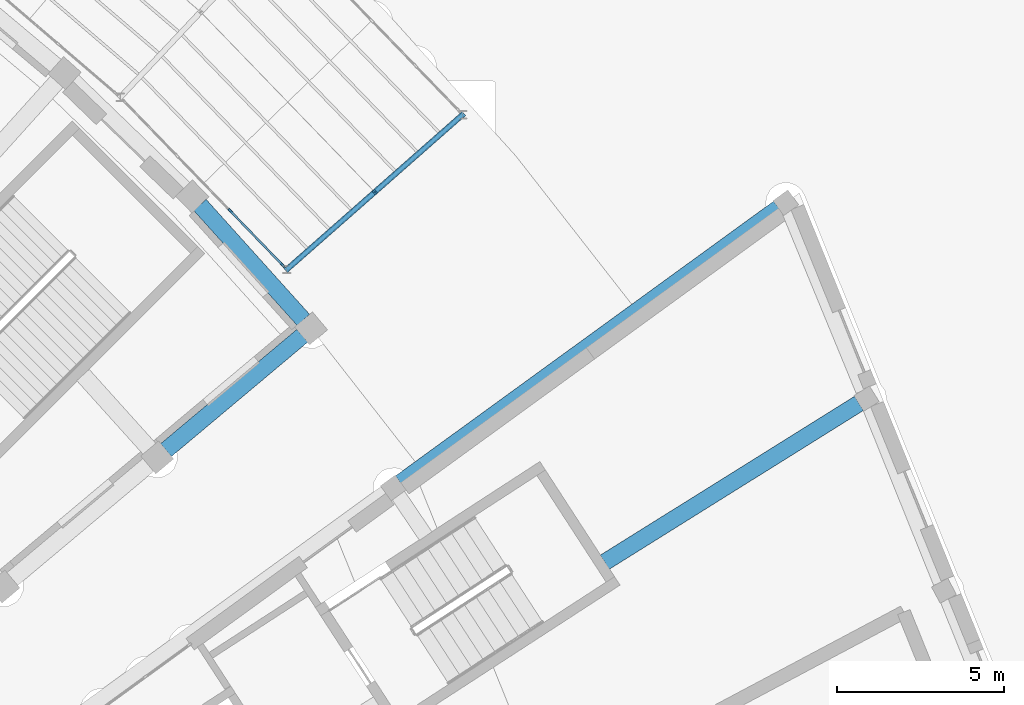
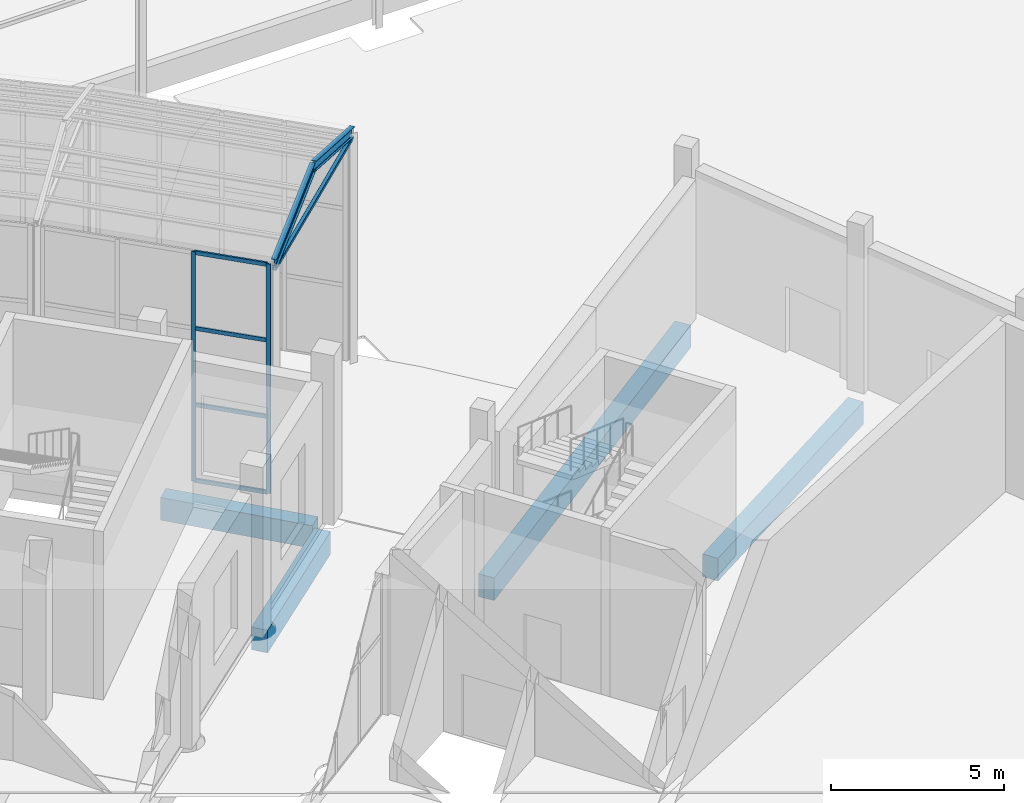
# One storey, part 54 of 155: 7 beams, 6 members, 1 element without a shape of its own.
"""IFC4 building model written with IfcOpenShell, lengths in metres."""

from ifc_helpers import new_model, si_unit, direction, frame, origin, origin_2d, place, context, subcontext, project, spatial, rectangle, hollow_rectangle, i_section, extrude, material, layer, layer_set, material_profile, profile_set, type_object, element, aggregate, save


model = new_model("IFC4")

# Units and contexts
model_context = context("Model", 3, precision=1e-05, world=origin(), true_north=direction((0.0, 1.0)))
body_context = subcontext(model_context, "Body", "Model", "MODEL_VIEW")
ifc_project = project(units=[si_unit("LENGTHUNIT", "METRE"), si_unit("AREAUNIT", "SQUARE_METRE"), si_unit("VOLUMEUNIT", "CUBIC_METRE"), si_unit("PLANEANGLEUNIT", "RADIAN"), si_unit("MASSUNIT", "GRAM", prefix="KILO")], contexts=[model_context])

# Site, building, storey
site_placement = place(None, origin())
site = spatial("IfcSite", under=ifc_project, at=site_placement, CompositionType="ELEMENT")
building_placement = place(site_placement, origin())
building = spatial("IfcBuilding", under=site, at=building_placement, Name="Lunette Opera House", CompositionType="ELEMENT")
storey_placement = place(building_placement, origin())
storey = spatial("IfcBuildingStorey", under=building, at=storey_placement, Name="L00", CompositionType="ELEMENT", Elevation=0.0)

# Curtain wall, members
ifc_material_1 = material(Name="Aluminium", Category="aluminium")
ifc_layer = layer(ifc_material_1, 0.139892578125)
ifc_layer_set = layer_set([ifc_layer], Name="Aluminium")
curtain_wall_type = type_object("IfcCurtainWallType", Name="PASSAGE CURTAIN WALL", PredefinedType="NOTDEFINED", material=ifc_layer_set)
curtain_wall_placement = place(storey_placement, origin())
curtain_wall = element("IfcCurtainWall", 1, at=curtain_wall_placement, inside=storey, type_object=curtain_wall_type, Name="Passage Curtain Wall EI6 L00", PredefinedType="NOTDEFINED")
ifc_material_2 = material(Name="Aluminium", Category="aluminium")
ifc_material_profile_1 = material_profile(ifc_material_2, rectangle(XDim=0.06005859375, YDim=0.139892578125, at=origin_2d()), Name="MULLION 60 X 140")
ifc_profile_set_1 = profile_set([ifc_material_profile_1], Name="Aluminium")
member_type_1 = type_object("IfcMemberType", Name="MULLION 60 X 140", PredefinedType="MULLION", material=ifc_profile_set_1)
member_1_placement = place(storey_placement, frame((151.802734375, 52.36474609375, 0.0), z_axis=(0.0, 0.0, 1.0), x_axis=(0.718888802964, 0.695125088724, 0.0)))
member_1 = element("IfcMember", 2, at=member_1_placement, type_object=member_type_1, Name="PP-X2006 mullion 3", PredefinedType="MULLION", context=body_context, shape_type="SweptSolid", body=[
    extrude(rectangle(XDim=0.06005859375, YDim=0.139892578125, at=origin_2d()), origin(), (0.0, 0.0, 1.0), 8.10009765625),
])
member_2_placement = place(storey_placement, frame((153.37109375, 50.74267578125, 0.0), z_axis=(0.0, 0.0, 1.0), x_axis=(0.718888802964, 0.695125088724, 0.0)))
member_2 = element("IfcMember", 3, at=member_2_placement, type_object=member_type_1, Name="PP-X2006 mullion 4", PredefinedType="MULLION", context=body_context, shape_type="SweptSolid", body=[
    extrude(rectangle(XDim=0.06005859375, YDim=0.139892578125, at=origin_2d()), origin(), (0.0, 0.0, 1.0), 8.10009765625),
])

# Beams
ifc_material_3 = material(Name="Concrete C35/45", Category="concrete")
ifc_material_profile_2 = material_profile(ifc_material_3, rectangle(XDim=0.5, YDim=0.800048828125, at=origin_2d()), Name="RC BEAM 500X800")
ifc_profile_set_2 = profile_set([ifc_material_profile_2], Name="Concrete C35/45")
beam_type_1 = type_object("IfcBeamType", Name="RC BEAM 500X800", PredefinedType="BEAM", material=ifc_profile_set_2)
beam_1_placement = place(storey_placement, frame((149.884033203125, 45.214111328125, -0.6201171875), z_axis=(0.766076352309, 0.642749579878, 0.0), x_axis=(-0.642749579878, 0.766076352309, 0.0)))
element("IfcBeam", 4, at=beam_1_placement, inside=storey, type_object=beam_type_1, Name="beam-FC-L00-L00-RB-RL-26-4", PredefinedType="BEAM", context=body_context, shape_type="SweptSolid", body=[
    extrude(rectangle(XDim=0.5, YDim=0.800048828125, at=origin_2d()), origin(), (0.0, 0.0, 1.0), 5.3193359375),
])
beam_2_placement = place(storey_placement, frame((150.89794921875, 52.541015625, -0.6201171875), z_axis=(0.669034751379, -0.743231122496, 0.0), x_axis=(0.743231122496, 0.669034751379, 0.0)))
element("IfcBeam", 5, at=beam_2_placement, inside=storey, type_object=beam_type_1, Name="beam-FC-L00-L00-RG-AR-C-RL-25", PredefinedType="BEAM", context=body_context, shape_type="SweptSolid", body=[
    extrude(rectangle(XDim=0.5, YDim=0.800048828125, at=origin_2d()), origin(), (0.0, 0.0, 1.0), 4.623046875),
])
beam_3_placement = place(storey_placement, frame((156.89111328125, 44.239990234375, -0.6201171875), z_axis=(0.809032229307, 0.587764282636, 0.0), x_axis=(-0.587764282636, 0.809032229307, 0.0)))
element("IfcBeam", 6, at=beam_3_placement, inside=storey, type_object=beam_type_1, Name="beam-SB-L00-L00-RB10", PredefinedType="BEAM", context=body_context, shape_type="SweptSolid", body=[
    extrude(rectangle(XDim=0.5, YDim=0.800048828125, at=origin_2d()), origin(), (0.0, 0.0, 1.0), 13.9697265625),
])
beam_4_placement = place(storey_placement, frame((162.9970703125, 41.864990234375, -0.6201171875), z_axis=(0.848097816206, 0.529839687214, 0.0), x_axis=(-0.529839687214, 0.848097816206, 0.0)))
element("IfcBeam", 7, at=beam_4_placement, inside=storey, type_object=beam_type_1, Name="beam-SB-L00-L00-RB11", PredefinedType="BEAM", context=body_context, shape_type="SweptSolid", body=[
    extrude(rectangle(XDim=0.5, YDim=0.800048828125, at=origin_2d()), origin(), (0.0, 0.0, 1.0), 8.95751953125),
])
ifc_material_4 = material(Name="Steel S355", Category="steel")
ifc_material_profile_3 = material_profile(ifc_material_4, i_section(OverallWidth=0.159912109375, OverallDepth=0.330078125, WebThickness=0.007568359375, FlangeThickness=0.011474609375, FilletRadius=0.01806640625, at=origin_2d()), Name="IPE 330")
ifc_profile_set_3 = profile_set([ifc_material_profile_3], Name="Steel S355")
beam_type_2 = type_object("IfcBeamType", Name="STEEL BEAM IPE 330", PredefinedType="BEAM", material=ifc_profile_set_3)
beam_5_placement = place(storey_placement, frame((153.49609375, 50.613037109375, 8.14990234375), z_axis=(0.716130404183, 0.630306526312, 0.299784801305), x_axis=(-0.660693919811, 0.750655409842, 0.0)))
element("IfcBeam", 8, at=beam_5_placement, inside=storey, type_object=beam_type_2, Name="beam-PP-L00-RF11A", PredefinedType="BEAM", context=body_context, shape_type="SweptSolid", body=[
    extrude(i_section(OverallWidth=0.159912109375, OverallDepth=0.330078125, WebThickness=0.007568359375, FlangeThickness=0.011474609375, FilletRadius=0.01806640625, at=origin_2d()), origin(), (0.0, 0.0, 1.0), 3.669677734375),
])
beam_6_placement = place(storey_placement, frame((158.7509765625, 55.239013671875, 8.14990234375), z_axis=(-0.716000724561, -0.630426660268, 0.299841939114), x_axis=(0.660832283954, -0.750533605166, 0.0)))
element("IfcBeam", 9, at=beam_6_placement, inside=storey, type_object=beam_type_2, Name="beam-PP-L00-RF11B", PredefinedType="BEAM", context=body_context, shape_type="SweptSolid", body=[
    extrude(i_section(OverallWidth=0.159912109375, OverallDepth=0.330078125, WebThickness=0.007568359375, FlangeThickness=0.011474609375, FilletRadius=0.01806640625, at=origin_2d()), origin(), (0.0, 0.0, 1.0), 3.6689453125),
])
ifc_material_5 = material(Name="Steel S355", Category="steel")
ifc_material_profile_4 = material_profile(ifc_material_5, hollow_rectangle(XDim=0.1201171875, YDim=0.1201171875, WallThickness=0.006103515625, InnerFilletRadius=0.006103515625, OuterFilletRadius=0.011962890625, at=origin_2d()), Name="RHS 120X120X6")
ifc_profile_set_4 = profile_set([ifc_material_profile_4], Name="Steel S355")
beam_type_3 = type_object("IfcBeamType", Name="STEEL BEAM RHS 120X120X6", PredefinedType="BEAM", material=ifc_profile_set_4)
beam_7_placement = place(storey_placement, frame((153.49609375, 50.613037109375, 7.949951171875), z_axis=(0.750594517069, 0.660763097446, 0.0), x_axis=(-0.660763097446, 0.750594517069, 0.0)))
element("IfcBeam", 10, at=beam_7_placement, inside=storey, type_object=beam_type_3, Name="beam-PP-L00-TI11", PredefinedType="BEAM", context=body_context, shape_type="SweptSolid", body=[
    extrude(hollow_rectangle(XDim=0.1201171875, YDim=0.1201171875, WallThickness=0.006103515625, InnerFilletRadius=0.006103515625, OuterFilletRadius=0.011962890625, at=origin_2d()), origin(), (0.0, 0.0, 1.0), 7.0009765625),
])

# Member
ifc_material_6 = material(Name="Aluminium", Category="aluminium")
ifc_material_profile_5 = material_profile(ifc_material_6, rectangle(XDim=0.06005859375, YDim=0.139892578125, at=origin_2d()), Name="TRANSOM 60 X 140")
ifc_profile_set_5 = profile_set([ifc_material_profile_5], Name="Aluminium")
member_type_2 = type_object("IfcMemberType", Name="TRANSOM 60 X 140", PredefinedType="USERDEFINED", material=ifc_profile_set_5)
member_3_placement = place(storey_placement, frame((151.823486328125, 52.343017578125, 0.030029296875), z_axis=(0.695169566624, -0.71884579267, 0.0), x_axis=(0.71884579267, 0.695169566624, 0.0)))
member_3 = element("IfcMember", 11, at=member_3_placement, type_object=member_type_2, Name="PP-X2006 transom 3.1", ObjectType="TRANSOM", PredefinedType="USERDEFINED", context=body_context, shape_type="SweptSolid", body=[
    extrude(rectangle(XDim=0.06005859375, YDim=0.139892578125, at=origin_2d()), origin(), (0.0, 0.0, 1.0), 2.1962890625),
])

member_4_placement = place(storey_placement, frame((151.823486328125, 52.343017578125, 2.699951171875), z_axis=(0.695169566624, -0.71884579267, 0.0), x_axis=(0.71884579267, 0.695169566624, 0.0)))
member_4 = element("IfcMember", 12, at=member_4_placement, type_object=member_type_2, Name="PP-X2006 transom 3.2", ObjectType="TRANSOM", PredefinedType="USERDEFINED", context=body_context, shape_type="SweptSolid", body=[
    extrude(rectangle(XDim=0.06005859375, YDim=0.139892578125, at=origin_2d()), origin(), (0.0, 0.0, 1.0), 2.1962890625),
])

member_5_placement = place(storey_placement, frame((151.823486328125, 52.343017578125, 5.39990234375), z_axis=(0.695169566624, -0.71884579267, 0.0), x_axis=(0.71884579267, 0.695169566624, 0.0)))
member_5 = element("IfcMember", 13, at=member_5_placement, type_object=member_type_2, Name="PP-X2006 transom 3.3", ObjectType="TRANSOM", PredefinedType="USERDEFINED", context=body_context, shape_type="SweptSolid", body=[
    extrude(rectangle(XDim=0.06005859375, YDim=0.139892578125, at=origin_2d()), origin(), (0.0, 0.0, 1.0), 2.1962890625),
])

member_6_placement = place(storey_placement, frame((151.823486328125, 52.343017578125, 8.070068359375), z_axis=(0.695169566624, -0.71884579267, 0.0), x_axis=(0.71884579267, 0.695169566624, 0.0)))
member_6 = element("IfcMember", 14, at=member_6_placement, type_object=member_type_2, Name="PP-X2006 transom 3.4", ObjectType="TRANSOM", PredefinedType="USERDEFINED", context=body_context, shape_type="SweptSolid", body=[
    extrude(rectangle(XDim=0.06005859375, YDim=0.139892578125, at=origin_2d()), origin(), (0.0, 0.0, 1.0), 2.1962890625),
])

aggregate(curtain_wall, [member_1, member_2, member_3, member_4, member_5, member_6])

save(model, "model.ifc")
